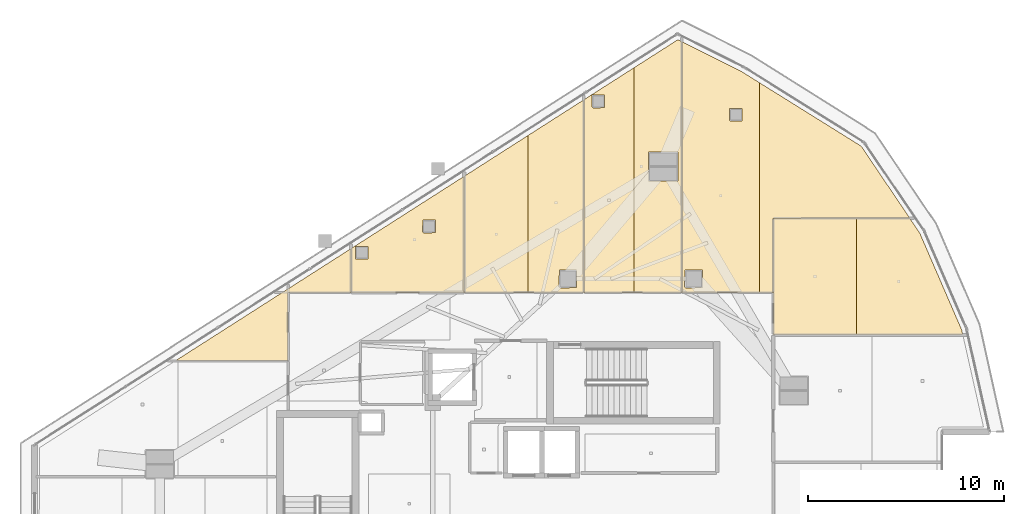
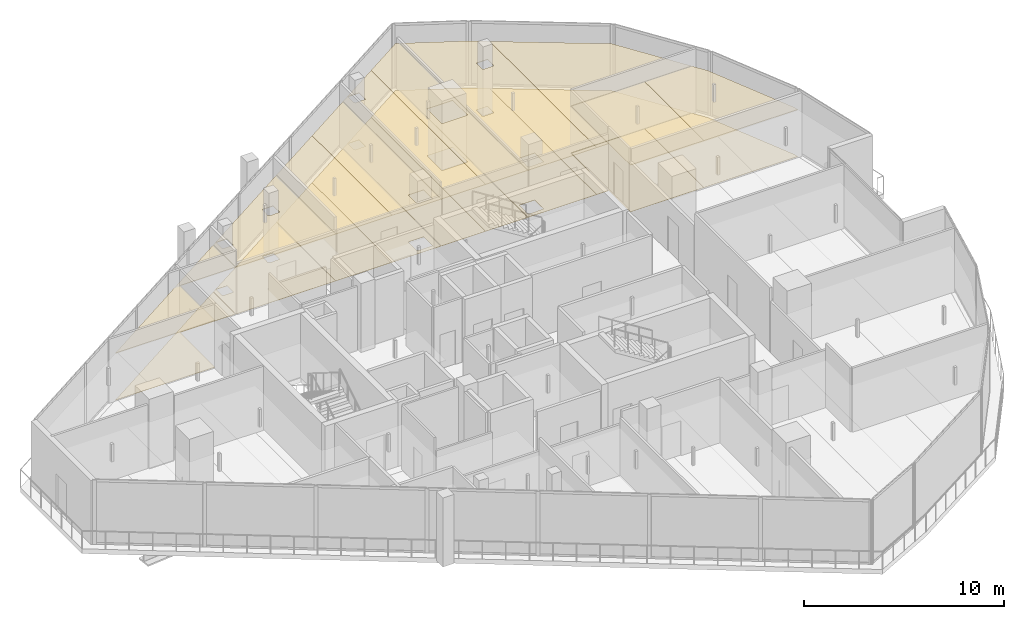
# One storey, part 29 of 29: 20 coverings.
"""IFC4 building model written with IfcOpenShell, lengths in metres."""

from ifc_helpers import new_model, si_unit, direction, frame, origin, place, context, subcontext, project, spatial, polyline, outline, extrude, material, layer, layer_set, type_object, element, save


model = new_model("IFC4")

# Units and contexts
model_context = context("Model", 3, precision=1e-05, world=origin(), true_north=direction((0.0, 1.0)))
body_context = subcontext(model_context, "Body", "Model", "MODEL_VIEW")
ifc_project = project(units=[si_unit("LENGTHUNIT", "METRE"), si_unit("AREAUNIT", "SQUARE_METRE"), si_unit("VOLUMEUNIT", "CUBIC_METRE"), si_unit("PLANEANGLEUNIT", "RADIAN"), si_unit("MASSUNIT", "GRAM", prefix="KILO")], contexts=[model_context])

# Site, building, storey
site_placement = place(None, origin())
site = spatial("IfcSite", under=ifc_project, at=site_placement, CompositionType="ELEMENT")
building_placement = place(site_placement, origin())
building = spatial("IfcBuilding", under=site, at=building_placement, Name="Qorvath Tower", CompositionType="ELEMENT")
storey_placement = place(building_placement, frame((0.0, 0.0, 285.0)))
storey = spatial("IfcBuildingStorey", under=building, at=storey_placement, Name="L66", CompositionType="ELEMENT", Elevation=285.0)

# Coverings
ifc_material_1 = material(Name="Acoustic mineral fibre ceiling tile", Category="gypsum")
ifc_layer_1 = layer(ifc_material_1, 0.030029296875)
ifc_layer_set_1 = layer_set([ifc_layer_1], Name="COV-CEIL")
covering_type_1 = type_object("IfcCoveringType", Name="COV-CEIL", PredefinedType="CEILING", material=ifc_layer_set_1)
covering_1_placement = place(storey_placement, frame((0.0, 0.0, 2.85009765625)))
element("IfcCovering", 1, at=covering_1_placement, inside=storey, type_object=covering_type_1, Name="L66 Suspended Acoustic Ceiling 013", PredefinedType="CEILING", context=body_context, shape_type="SweptSolid", body=[
    extrude(outline(polyline([(-28.8935546875, 16.678955078125), (-34.64501953125, 13.0029296875), (-34.64501953125, 10.762939453125), (-28.8935546875, 10.762939453125), (-28.8935546875, 16.678955078125)]), holes=[polyline([(-30.99462890625, 14.441650390625), (-30.35986328125, 14.441650390625), (-30.35986328125, 13.806884765625), (-30.9521484375, 13.789306640625), (-31.01220703125, 13.849365234375), (-30.99462890625, 14.441650390625)]), polyline([(-34.421630859375, 13.10986328125), (-33.786865234375, 13.10986328125), (-33.786865234375, 12.47509765625), (-34.421630859375, 12.47509765625), (-34.421630859375, 13.10986328125)])]), origin(), (0.0, 0.0, 1.0), 0.030029296875),
])
covering_2_placement = place(storey_placement, frame((0.0, 0.0, 2.85009765625)))
element("IfcCovering", 2, at=covering_2_placement, inside=storey, type_object=covering_type_1, Name="L66 Suspended Acoustic Ceiling 014", PredefinedType="CEILING", context=body_context, shape_type="SweptSolid", body=[
    extrude(outline(polyline([(-28.87548828125, 10.762939453125), (-25.6279296875, 10.762939453125), (-25.6279296875, 18.76611328125), (-28.87548828125, 16.6904296875), (-28.87548828125, 10.762939453125)])), origin(), (0.0, 0.0, 1.0), 0.030029296875),
])
covering_3_placement = place(storey_placement, frame((0.0, 0.0, 2.85009765625)))
element("IfcCovering", 3, at=covering_3_placement, inside=storey, type_object=covering_type_1, Name="L66 Suspended Acoustic Ceiling 015", PredefinedType="CEILING", context=body_context, shape_type="SweptSolid", body=[
    extrude(outline(polyline([(-25.6279296875, 18.76611328125), (-25.6279296875, 10.762939453125), (-22.810791015625, 10.762939453125), (-22.810791015625, 20.56640625), (-25.6279296875, 18.76611328125)]), holes=[polyline([(-24.06005859375, 11.050048828125), (-24.04248046875, 11.892333984375), (-23.157470703125, 11.892333984375), (-23.157470703125, 11.007568359375), (-24.0, 10.989990234375), (-24.06005859375, 11.050048828125)])]), origin(), (0.0, 0.0, 1.0), 0.030029296875),
])
covering_4_placement = place(storey_placement, frame((0.0, 0.0, 2.85009765625)))
element("IfcCovering", 4, at=covering_4_placement, inside=storey, type_object=covering_type_1, Name="L66 Suspended Acoustic Ceiling 016", PredefinedType="CEILING", context=body_context, shape_type="SweptSolid", body=[
    extrude(outline(polyline([(-20.23779296875, 10.762939453125), (-20.23779296875, 22.211181640625), (-22.79296875, 20.577880859375), (-22.79296875, 10.762939453125), (-20.23779296875, 10.762939453125)]), holes=[polyline([(-22.38818359375, 20.219970703125), (-22.37060546875, 20.812255859375), (-21.73583984375, 20.812255859375), (-21.73583984375, 20.177490234375), (-22.328125, 20.159912109375), (-22.38818359375, 20.219970703125)])]), origin(), (0.0, 0.0, 1.0), 0.030029296875),
])
covering_5_placement = place(storey_placement, frame((0.0, 0.0, 2.85009765625)))
element("IfcCovering", 5, at=covering_5_placement, inside=storey, type_object=covering_type_1, Name="L66 Suspended Acoustic Ceiling 017", PredefinedType="CEILING", context=body_context, shape_type="SweptSolid", body=[
    extrude(outline(polyline([(-17.822509765625, 10.762939453125), (-17.822509765625, 23.54296875), (-18.00830078125, 23.635986328125), (-20.23779296875, 22.211181640625), (-20.23779296875, 10.762939453125), (-17.822509765625, 10.762939453125)]), holes=[polyline([(-19.492919921875, 16.43310546875), (-19.492919921875, 17.91796875), (-18.008056640625, 17.91796875), (-18.008056640625, 16.43310546875), (-19.492919921875, 16.43310546875)])]), origin(), (0.0, 0.0, 1.0), 0.030029296875),
])
covering_6_placement = place(storey_placement, frame((0.0, 0.0, 2.85009765625)))
element("IfcCovering", 6, at=covering_6_placement, inside=storey, type_object=covering_type_1, Name="L66 Suspended Acoustic Ceiling 018", PredefinedType="CEILING", context=body_context, shape_type="SweptSolid", body=[
    extrude(outline(polyline([(-13.8427734375, 10.762939453125), (-13.8427734375, 21.443603515625), (-14.73046875, 21.996826171875), (-17.804443359375, 23.533935546875), (-17.804443359375, 10.762939453125), (-13.8427734375, 10.762939453125)]), holes=[polyline([(-15.381103515625, 19.543212890625), (-15.363525390625, 20.135498046875), (-14.728759765625, 20.135498046875), (-14.728759765625, 19.500732421875), (-15.321044921875, 19.483154296875), (-15.381103515625, 19.543212890625)]), polyline([(-17.659912109375, 11.050048828125), (-17.642333984375, 11.892333984375), (-16.757568359375, 11.892333984375), (-16.757568359375, 11.007568359375), (-17.60009765625, 10.989990234375), (-17.659912109375, 11.050048828125)])]), origin(), (0.0, 0.0, 1.0), 0.030029296875),
])
covering_7_placement = place(storey_placement, frame((0.0, 0.0, 2.85009765625)))
element("IfcCovering", 7, at=covering_7_placement, inside=storey, type_object=covering_type_1, Name="L66 Suspended Acoustic Ceiling 019", PredefinedType="CEILING", context=body_context, shape_type="SweptSolid", body=[
    extrude(outline(polyline([(-6.18798828125, 14.548095703125), (-8.66552734375, 18.215576171875), (-13.8427734375, 21.443603515625), (-13.8427734375, 10.762939453125), (-13.155029296875, 10.762939453125), (-13.14990234375, 14.5390625), (-6.18798828125, 14.548095703125)])), origin(), (0.0, 0.0, 1.0), 0.030029296875),
])
covering_8_placement = place(storey_placement, frame((0.0, 0.0, 2.85009765625)))
element("IfcCovering", 8, at=covering_8_placement, inside=storey, type_object=covering_type_1, Name="L66 Suspended Acoustic Ceiling 034", PredefinedType="CEILING", context=body_context, shape_type="SweptSolid", body=[
    extrude(outline(polyline([(-13.136962890625, 8.61376953125), (-8.8994140625, 8.61376953125), (-8.8994140625, 14.526611328125), (-13.136962890625, 14.521240234375), (-13.136962890625, 8.61376953125)])), origin(), (0.0, 0.0, 1.0), 0.030029296875),
])
covering_9_placement = place(storey_placement, frame((0.0, 0.0, 2.85009765625)))
element("IfcCovering", 9, at=covering_9_placement, inside=storey, type_object=covering_type_1, Name="L66 Suspended Acoustic Ceiling 035", PredefinedType="CEILING", context=body_context, shape_type="SweptSolid", body=[
    extrude(outline(polyline([(-8.8994140625, 14.526611328125), (-8.8994140625, 8.61376953125), (-3.489501953125, 8.61376953125), (-3.544921875, 8.85986328125), (-5.6787109375, 13.78466796875), (-6.18505859375, 14.530029296875), (-8.8994140625, 14.526611328125)])), origin(), (0.0, 0.0, 1.0), 0.030029296875),
])
covering_10_placement = place(storey_placement, frame((0.0, 0.0, 2.85009765625)))
element("IfcCovering", 10, at=covering_10_placement, inside=storey, type_object=covering_type_1, Name="L66 Suspended Acoustic Ceiling 042", PredefinedType="CEILING", context=body_context, shape_type="SweptSolid", body=[
    extrude(outline(polyline([(-34.6630859375, 10.762939453125), (-34.6630859375, 12.991455078125), (-43.59814453125, 7.28076171875), (-37.863037109375, 7.28076171875), (-37.85791015625, 10.762939453125), (-34.6630859375, 10.762939453125)])), origin(), (0.0, 0.0, 1.0), 0.030029296875),
])
ifc_material_2 = material(Name="Low-VOC modular carpet tile", Category="textile")
ifc_layer_2 = layer(ifc_material_2, 0.014892578125)
ifc_layer_set_2 = layer_set([ifc_layer_2], Name="COV-FLOOR-CPT")
covering_type_2 = type_object("IfcCoveringType", Name="COV-FLOOR-CPT", PredefinedType="FLOORING", material=ifc_layer_set_2)
covering_11_placement = place(storey_placement, origin())
element("IfcCovering", 11, at=covering_11_placement, inside=storey, type_object=covering_type_2, Name="L66 Floor Finish 013", PredefinedType="FLOORING", context=body_context, shape_type="SweptSolid", body=[
    extrude(outline(polyline([(-28.8935546875, 16.678955078125), (-34.64501953125, 13.0029296875), (-34.64501953125, 10.762939453125), (-28.8935546875, 10.762939453125), (-28.8935546875, 16.678955078125)]), holes=[polyline([(-30.99462890625, 14.441650390625), (-30.35986328125, 14.441650390625), (-30.35986328125, 13.806884765625), (-30.9521484375, 13.789306640625), (-31.01220703125, 13.849365234375), (-30.99462890625, 14.441650390625)]), polyline([(-34.421630859375, 13.10986328125), (-33.786865234375, 13.10986328125), (-33.786865234375, 12.47509765625), (-34.421630859375, 12.47509765625), (-34.421630859375, 13.10986328125)])]), origin(), (0.0, 0.0, 1.0), 0.014892578125),
])
covering_12_placement = place(storey_placement, origin())
element("IfcCovering", 12, at=covering_12_placement, inside=storey, type_object=covering_type_2, Name="L66 Floor Finish 014", PredefinedType="FLOORING", context=body_context, shape_type="SweptSolid", body=[
    extrude(outline(polyline([(-28.87548828125, 10.762939453125), (-25.6279296875, 10.762939453125), (-25.6279296875, 18.76611328125), (-28.87548828125, 16.6904296875), (-28.87548828125, 10.762939453125)])), origin(), (0.0, 0.0, 1.0), 0.014892578125),
])
covering_13_placement = place(storey_placement, origin())
element("IfcCovering", 13, at=covering_13_placement, inside=storey, type_object=covering_type_2, Name="L66 Floor Finish 015", PredefinedType="FLOORING", context=body_context, shape_type="SweptSolid", body=[
    extrude(outline(polyline([(-25.6279296875, 18.76611328125), (-25.6279296875, 10.762939453125), (-22.810791015625, 10.762939453125), (-22.810791015625, 20.56640625), (-25.6279296875, 18.76611328125)]), holes=[polyline([(-24.06005859375, 11.050048828125), (-24.04248046875, 11.892333984375), (-23.157470703125, 11.892333984375), (-23.157470703125, 11.007568359375), (-24.0, 10.989990234375), (-24.06005859375, 11.050048828125)])]), origin(), (0.0, 0.0, 1.0), 0.014892578125),
])
covering_14_placement = place(storey_placement, origin())
element("IfcCovering", 14, at=covering_14_placement, inside=storey, type_object=covering_type_2, Name="L66 Floor Finish 016", PredefinedType="FLOORING", context=body_context, shape_type="SweptSolid", body=[
    extrude(outline(polyline([(-20.23779296875, 10.762939453125), (-20.23779296875, 22.211181640625), (-22.79296875, 20.577880859375), (-22.79296875, 10.762939453125), (-20.23779296875, 10.762939453125)]), holes=[polyline([(-22.38818359375, 20.219970703125), (-22.37060546875, 20.812255859375), (-21.73583984375, 20.812255859375), (-21.73583984375, 20.177490234375), (-22.328125, 20.159912109375), (-22.38818359375, 20.219970703125)])]), origin(), (0.0, 0.0, 1.0), 0.014892578125),
])
covering_15_placement = place(storey_placement, origin())
element("IfcCovering", 15, at=covering_15_placement, inside=storey, type_object=covering_type_2, Name="L66 Floor Finish 017", PredefinedType="FLOORING", context=body_context, shape_type="SweptSolid", body=[
    extrude(outline(polyline([(-17.822509765625, 10.762939453125), (-17.822509765625, 23.54296875), (-18.00830078125, 23.635986328125), (-20.23779296875, 22.211181640625), (-20.23779296875, 10.762939453125), (-17.822509765625, 10.762939453125)]), holes=[polyline([(-19.492919921875, 16.43310546875), (-19.492919921875, 17.91796875), (-18.008056640625, 17.91796875), (-18.008056640625, 16.43310546875), (-19.492919921875, 16.43310546875)])]), origin(), (0.0, 0.0, 1.0), 0.014892578125),
])
covering_16_placement = place(storey_placement, origin())
element("IfcCovering", 16, at=covering_16_placement, inside=storey, type_object=covering_type_2, Name="L66 Floor Finish 018", PredefinedType="FLOORING", context=body_context, shape_type="SweptSolid", body=[
    extrude(outline(polyline([(-13.8427734375, 10.762939453125), (-13.8427734375, 21.443603515625), (-14.73046875, 21.996826171875), (-17.804443359375, 23.533935546875), (-17.804443359375, 10.762939453125), (-13.8427734375, 10.762939453125)]), holes=[polyline([(-15.381103515625, 19.543212890625), (-15.363525390625, 20.135498046875), (-14.728759765625, 20.135498046875), (-14.728759765625, 19.500732421875), (-15.321044921875, 19.483154296875), (-15.381103515625, 19.543212890625)]), polyline([(-17.659912109375, 11.050048828125), (-17.642333984375, 11.892333984375), (-16.757568359375, 11.892333984375), (-16.757568359375, 11.007568359375), (-17.60009765625, 10.989990234375), (-17.659912109375, 11.050048828125)])]), origin(), (0.0, 0.0, 1.0), 0.014892578125),
])
covering_17_placement = place(storey_placement, origin())
element("IfcCovering", 17, at=covering_17_placement, inside=storey, type_object=covering_type_2, Name="L66 Floor Finish 019", PredefinedType="FLOORING", context=body_context, shape_type="SweptSolid", body=[
    extrude(outline(polyline([(-6.18798828125, 14.548095703125), (-8.66552734375, 18.215576171875), (-13.8427734375, 21.443603515625), (-13.8427734375, 10.762939453125), (-13.155029296875, 10.762939453125), (-13.14990234375, 14.5390625), (-6.18798828125, 14.548095703125)])), origin(), (0.0, 0.0, 1.0), 0.014892578125),
])
covering_18_placement = place(storey_placement, origin())
element("IfcCovering", 18, at=covering_18_placement, inside=storey, type_object=covering_type_2, Name="L66 Floor Finish 034", PredefinedType="FLOORING", context=body_context, shape_type="SweptSolid", body=[
    extrude(outline(polyline([(-13.136962890625, 8.61376953125), (-8.8994140625, 8.61376953125), (-8.8994140625, 14.526611328125), (-13.136962890625, 14.521240234375), (-13.136962890625, 8.61376953125)])), origin(), (0.0, 0.0, 1.0), 0.014892578125),
])
covering_19_placement = place(storey_placement, origin())
element("IfcCovering", 19, at=covering_19_placement, inside=storey, type_object=covering_type_2, Name="L66 Floor Finish 035", PredefinedType="FLOORING", context=body_context, shape_type="SweptSolid", body=[
    extrude(outline(polyline([(-8.8994140625, 14.526611328125), (-8.8994140625, 8.61376953125), (-3.489501953125, 8.61376953125), (-3.544921875, 8.85986328125), (-5.6787109375, 13.78466796875), (-6.18505859375, 14.530029296875), (-8.8994140625, 14.526611328125)])), origin(), (0.0, 0.0, 1.0), 0.014892578125),
])
covering_20_placement = place(storey_placement, origin())
element("IfcCovering", 20, at=covering_20_placement, inside=storey, type_object=covering_type_2, Name="L66 Floor Finish 042", PredefinedType="FLOORING", context=body_context, shape_type="SweptSolid", body=[
    extrude(outline(polyline([(-34.6630859375, 10.762939453125), (-34.6630859375, 12.991455078125), (-43.59814453125, 7.28076171875), (-37.863037109375, 7.28076171875), (-37.85791015625, 10.762939453125), (-34.6630859375, 10.762939453125)])), origin(), (0.0, 0.0, 1.0), 0.014892578125),
])

save(model, "model.ifc")
